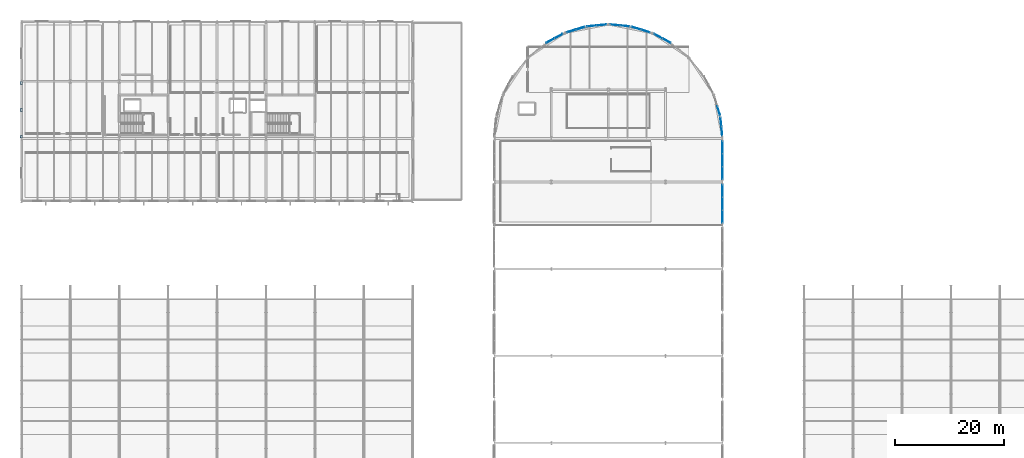
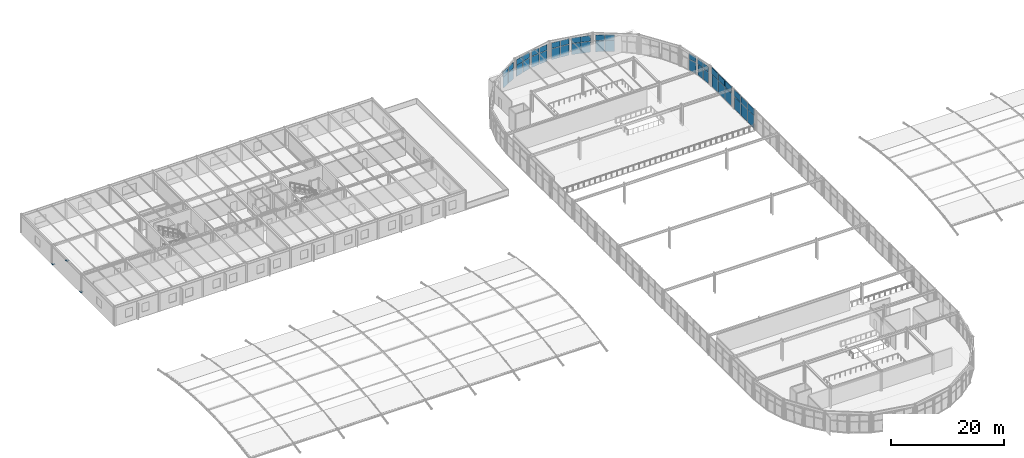
# One storey, part 57 of 105: 45 plates, 10 elements without a shape of their own.
"""IFC4 building model written with IfcOpenShell, lengths in metres."""

from ifc_helpers import new_model, si_unit, direction, frame, origin, origin_2d, place, context, subcontext, project, spatial, rectangle, extrude, material, layer, layer_set, type_object, element, aggregate, save


model = new_model("IFC4")

# Units and contexts
model_context = context("Model", 3, precision=1e-05, world=origin(), true_north=direction((0.0, 1.0)))
body_context = subcontext(model_context, "Body", "Model", "MODEL_VIEW")
ifc_project = project(units=[si_unit("LENGTHUNIT", "METRE"), si_unit("AREAUNIT", "SQUARE_METRE"), si_unit("VOLUMEUNIT", "CUBIC_METRE"), si_unit("PLANEANGLEUNIT", "RADIAN"), si_unit("MASSUNIT", "GRAM", prefix="KILO")], contexts=[model_context])

# Site, building, storey
site_placement = place(None, origin())
site = spatial("IfcSite", under=ifc_project, at=site_placement, CompositionType="ELEMENT")
building_placement = place(site_placement, origin())
building = spatial("IfcBuilding", under=site, at=building_placement, Name="Marlcrest Central Station", CompositionType="ELEMENT")
storey_placement = place(building_placement, frame((0.0, 0.0, 15.0)))
storey = spatial("IfcBuildingStorey", under=building, at=storey_placement, Name="L03", CompositionType="ELEMENT", Elevation=15.0)

# Curtain wall, plates
ifc_material_1 = material(Name="Anodised aluminium and hurricane laminated glass", Category="aluminium")
ifc_layer_1 = layer(ifc_material_1, 0.219970703125, Name="CW-U1")
ifc_layer_set_1 = layer_set([ifc_layer_1], Name="Anodised aluminium and hurricane laminated glass")
curtain_wall_type = type_object("IfcCurtainWallType", Name="CW-U1", PredefinedType="USERDEFINED", material=ifc_layer_set_1)
curtain_wall_1_placement = place(storey_placement, origin())
curtain_wall_1 = element("IfcCurtainWall", 1, at=curtain_wall_1_placement, inside=storey, type_object=curtain_wall_type, Name="cw-L03-0088", ObjectType="UNITISED_CURTAIN_WALL", PredefinedType="USERDEFINED")
ifc_material_2 = material(Name="Hurricane laminated solar-control glass", Category="glass")
ifc_layer_2 = layer(ifc_material_2, 0.031982421875, Name="CP-01")
ifc_layer_set_2 = layer_set([ifc_layer_2], Name="Hurricane laminated solar-control glass")
plate_type_1 = type_object("IfcPlateType", Name="CP-01", PredefinedType="CURTAIN_PANEL", material=ifc_layer_set_2)
plate_1_placement = place(storey_placement, frame((97.287841796875, 128.47119140625, 0.079833984375), z_axis=(0.0, 0.0, 1.0), x_axis=(0.882003525167, 0.471242805349, 0.0)))
plate_1 = element("IfcPlate", 2, at=plate_1_placement, type_object=plate_type_1, Name="cw-L03-0088-cp-lo-0", PredefinedType="CURTAIN_PANEL", context=body_context, shape_type="SweptSolid", body=[
    extrude(rectangle(XDim=1.677490234375, YDim=0.031982421875, at=origin_2d()), origin(), (0.0, 0.0, 1.0), 2.35009765625),
])
plate_2_placement = place(storey_placement, frame((98.83447265625, 129.29736328125, 0.079833984375), z_axis=(0.0, 0.0, 1.0), x_axis=(0.882003525167, 0.471242805349, 0.0)))
plate_2 = element("IfcPlate", 3, at=plate_2_placement, type_object=plate_type_1, Name="cw-L03-0088-cp-lo-1", PredefinedType="CURTAIN_PANEL", context=body_context, shape_type="SweptSolid", body=[
    extrude(rectangle(XDim=1.677490234375, YDim=0.031982421875, at=origin_2d()), origin(), (0.0, 0.0, 1.0), 2.35009765625),
])

curtain_wall_2_placement = place(storey_placement, origin())
curtain_wall_2 = element("IfcCurtainWall", 4, at=curtain_wall_2_placement, inside=storey, type_object=curtain_wall_type, Name="cw-L03-0089", ObjectType="UNITISED_CURTAIN_WALL", PredefinedType="USERDEFINED")
plate_3_placement = place(storey_placement, frame((101.189453125, 130.272705078125, 0.079833984375), z_axis=(0.0, 0.0, 1.0), x_axis=(0.956930202302, 0.290318080597, 0.0)))
plate_3 = element("IfcPlate", 5, at=plate_3_placement, type_object=plate_type_1, Name="cw-L03-0089-cp-lo-0", PredefinedType="CURTAIN_PANEL", context=body_context, shape_type="SweptSolid", body=[
    extrude(rectangle(XDim=1.67724609375, YDim=0.031982421875, at=origin_2d()), origin(), (0.0, 0.0, 1.0), 2.35009765625),
])
plate_4_placement = place(storey_placement, frame((102.8671875, 130.78173828125, 0.079833984375), z_axis=(0.0, 0.0, 1.0), x_axis=(0.956930202302, 0.290318080597, 0.0)))
plate_4 = element("IfcPlate", 6, at=plate_4_placement, type_object=plate_type_1, Name="cw-L03-0089-cp-lo-1", PredefinedType="CURTAIN_PANEL", context=body_context, shape_type="SweptSolid", body=[
    extrude(rectangle(XDim=1.67724609375, YDim=0.031982421875, at=origin_2d()), origin(), (0.0, 0.0, 1.0), 2.35009765625),
])

curtain_wall_3_placement = place(storey_placement, origin())
curtain_wall_3 = element("IfcCurtainWall", 7, at=curtain_wall_3_placement, inside=storey, type_object=curtain_wall_type, Name="cw-L03-0090", ObjectType="UNITISED_CURTAIN_WALL", PredefinedType="USERDEFINED")
plate_5_placement = place(storey_placement, frame((104.98046875, 131.2021484375, 0.079833984375), z_axis=(0.0, 0.0, 1.0), x_axis=(0.995172744192, 0.098138724349, 0.0)))
plate_5 = element("IfcPlate", 8, at=plate_5_placement, type_object=plate_type_1, Name="cw-L03-0090-cp-lo-0", PredefinedType="CURTAIN_PANEL", context=body_context, shape_type="SweptSolid", body=[
    extrude(rectangle(XDim=1.677490234375, YDim=0.031982421875, at=origin_2d()), origin(), (0.0, 0.0, 1.0), 2.35009765625),
])
plate_6_placement = place(storey_placement, frame((106.725341796875, 131.374267578125, 0.079833984375), z_axis=(0.0, 0.0, 1.0), x_axis=(0.995172744192, 0.098138724349, 0.0)))
plate_6 = element("IfcPlate", 9, at=plate_6_placement, type_object=plate_type_1, Name="cw-L03-0090-cp-lo-1", PredefinedType="CURTAIN_PANEL", context=body_context, shape_type="SweptSolid", body=[
    extrude(rectangle(XDim=1.677490234375, YDim=0.031982421875, at=origin_2d()), origin(), (0.0, 0.0, 1.0), 2.35009765625),
])

curtain_wall_4_placement = place(storey_placement, origin())
curtain_wall_4 = element("IfcCurtainWall", 10, at=curtain_wall_4_placement, inside=storey, type_object=curtain_wall_type, Name="cw-L03-0091", ObjectType="UNITISED_CURTAIN_WALL", PredefinedType="USERDEFINED")
plate_7_placement = place(storey_placement, frame((109.274658203125, 131.374267578125, 0.079833984375), z_axis=(0.0, 0.0, 1.0), x_axis=(0.995172744192, -0.098138724349, 0.0)))
plate_7 = element("IfcPlate", 11, at=plate_7_placement, type_object=plate_type_1, Name="cw-L03-0091-cp-lo-0", PredefinedType="CURTAIN_PANEL", context=body_context, shape_type="SweptSolid", body=[
    extrude(rectangle(XDim=1.677490234375, YDim=0.031982421875, at=origin_2d()), origin(), (0.0, 0.0, 1.0), 2.35009765625),
])
plate_8_placement = place(storey_placement, frame((111.01953125, 131.2021484375, 0.079833984375), z_axis=(0.0, 0.0, 1.0), x_axis=(0.995172744192, -0.098138724349, 0.0)))
plate_8 = element("IfcPlate", 12, at=plate_8_placement, type_object=plate_type_1, Name="cw-L03-0091-cp-lo-1", PredefinedType="CURTAIN_PANEL", context=body_context, shape_type="SweptSolid", body=[
    extrude(rectangle(XDim=1.677490234375, YDim=0.031982421875, at=origin_2d()), origin(), (0.0, 0.0, 1.0), 2.35009765625),
])

curtain_wall_5_placement = place(storey_placement, origin())
curtain_wall_5 = element("IfcCurtainWall", 13, at=curtain_wall_5_placement, inside=storey, type_object=curtain_wall_type, Name="cw-L03-0092", ObjectType="UNITISED_CURTAIN_WALL", PredefinedType="USERDEFINED")
plate_9_placement = place(storey_placement, frame((113.1328125, 130.78173828125, 0.079833984375), z_axis=(0.0, 0.0, 1.0), x_axis=(0.956930202302, -0.290318080597, 0.0)))
plate_9 = element("IfcPlate", 14, at=plate_9_placement, type_object=plate_type_1, Name="cw-L03-0092-cp-lo-0", PredefinedType="CURTAIN_PANEL", context=body_context, shape_type="SweptSolid", body=[
    extrude(rectangle(XDim=1.67724609375, YDim=0.031982421875, at=origin_2d()), origin(), (0.0, 0.0, 1.0), 2.35009765625),
])
plate_10_placement = place(storey_placement, frame((114.810546875, 130.272705078125, 0.079833984375), z_axis=(0.0, 0.0, 1.0), x_axis=(0.956930202302, -0.290318080597, 0.0)))
plate_10 = element("IfcPlate", 15, at=plate_10_placement, type_object=plate_type_1, Name="cw-L03-0092-cp-lo-1", PredefinedType="CURTAIN_PANEL", context=body_context, shape_type="SweptSolid", body=[
    extrude(rectangle(XDim=1.67724609375, YDim=0.031982421875, at=origin_2d()), origin(), (0.0, 0.0, 1.0), 2.35009765625),
])

curtain_wall_6_placement = place(storey_placement, origin())
curtain_wall_6 = element("IfcCurtainWall", 16, at=curtain_wall_6_placement, inside=storey, type_object=curtain_wall_type, Name="cw-L03-0093", ObjectType="UNITISED_CURTAIN_WALL", PredefinedType="USERDEFINED")
plate_11_placement = place(storey_placement, frame((117.16552734375, 129.29736328125, 0.079833984375), z_axis=(0.0, 0.0, 1.0), x_axis=(0.882003525167, -0.471242805349, 0.0)))
plate_11 = element("IfcPlate", 17, at=plate_11_placement, type_object=plate_type_1, Name="cw-L03-0093-cp-lo-0", PredefinedType="CURTAIN_PANEL", context=body_context, shape_type="SweptSolid", body=[
    extrude(rectangle(XDim=1.677490234375, YDim=0.031982421875, at=origin_2d()), origin(), (0.0, 0.0, 1.0), 2.35009765625),
])
plate_12_placement = place(storey_placement, frame((118.712158203125, 128.47119140625, 0.079833984375), z_axis=(0.0, 0.0, 1.0), x_axis=(0.882003525167, -0.471242805349, 0.0)))
plate_12 = element("IfcPlate", 18, at=plate_12_placement, type_object=plate_type_1, Name="cw-L03-0093-cp-lo-1", PredefinedType="CURTAIN_PANEL", context=body_context, shape_type="SweptSolid", body=[
    extrude(rectangle(XDim=1.677490234375, YDim=0.031982421875, at=origin_2d()), origin(), (0.0, 0.0, 1.0), 2.35009765625),
])

# Curtain wall, plate
curtain_wall_7_placement = place(storey_placement, origin())
curtain_wall_7 = element("IfcCurtainWall", 19, at=curtain_wall_7_placement, inside=storey, type_object=curtain_wall_type, Name="cw-L03-0097", ObjectType="UNITISED_CURTAIN_WALL", PredefinedType="USERDEFINED")
plate_13_placement = place(storey_placement, frame((128.28173828125, 115.6328125, 0.079833984375), z_axis=(0.0, 0.0, 1.0), x_axis=(0.290318080597, -0.956930202302, 0.0)))
plate_13 = element("IfcPlate", 20, at=plate_13_placement, type_object=plate_type_1, Name="cw-L03-0097-cp-lo-1", PredefinedType="CURTAIN_PANEL", context=body_context, shape_type="SweptSolid", body=[
    extrude(rectangle(XDim=1.67724609375, YDim=0.031982421875, at=origin_2d()), origin(), (0.0, 0.0, 1.0), 2.35009765625),
])

# Curtain wall, plates
curtain_wall_8_placement = place(storey_placement, origin())
curtain_wall_8 = element("IfcCurtainWall", 21, at=curtain_wall_8_placement, inside=storey, type_object=curtain_wall_type, Name="cw-L03-0098", ObjectType="UNITISED_CURTAIN_WALL", PredefinedType="USERDEFINED")
plate_14_placement = place(storey_placement, frame((128.699951171875, 113.543701171875, 0.079833984375), z_axis=(0.0, 0.0, 1.0), x_axis=(0.098138724349, -0.995172744192, 0.0)))
plate_14 = element("IfcPlate", 22, at=plate_14_placement, type_object=plate_type_1, Name="cw-L03-0098-cp-lo-0", PredefinedType="CURTAIN_PANEL", context=body_context, shape_type="SweptSolid", body=[
    extrude(rectangle(XDim=1.629150390625, YDim=0.031982421875, at=origin_2d()), origin(), (0.0, 0.0, 1.0), 2.35009765625),
])
plate_15_placement = place(storey_placement, frame((128.8671875, 111.846923828125, 0.079833984375), z_axis=(0.0, 0.0, 1.0), x_axis=(0.098138724349, -0.995172744192, 0.0)))
plate_15 = element("IfcPlate", 23, at=plate_15_placement, type_object=plate_type_1, Name="cw-L03-0098-cp-lo-1", PredefinedType="CURTAIN_PANEL", context=body_context, shape_type="SweptSolid", body=[
    extrude(rectangle(XDim=1.629150390625, YDim=0.031982421875, at=origin_2d()), origin(), (0.0, 0.0, 1.0), 2.35009765625),
])

curtain_wall_9_placement = place(storey_placement, origin())
curtain_wall_9 = element("IfcCurtainWall", 24, at=curtain_wall_9_placement, inside=storey, type_object=curtain_wall_type, Name="cw-L03-0138", ObjectType="UNITISED_CURTAIN_WALL", PredefinedType="USERDEFINED")
plate_16_placement = place(storey_placement, frame((129.0, 100.86669921875, 0.080078125), z_axis=(0.0, 0.0, 1.0), x_axis=(0.0, -1.0, 0.0)))
plate_16 = element("IfcPlate", 25, at=plate_16_placement, type_object=plate_type_1, Name="cw-L03-0138-cp-lo-0", PredefinedType="CURTAIN_PANEL", context=body_context, shape_type="SweptSolid", body=[
    extrude(rectangle(XDim=2.290771484375, YDim=0.031982421875, at=origin_2d()), origin(), (0.0, 0.0, 1.0), 2.7080078125),
])
plate_17_placement = place(storey_placement, frame((129.0, 98.5, 0.080078125), z_axis=(0.0, 0.0, 1.0), x_axis=(0.0, -1.0, 0.0)))
plate_17 = element("IfcPlate", 26, at=plate_17_placement, type_object=plate_type_1, Name="cw-L03-0138-cp-lo-1", PredefinedType="CURTAIN_PANEL", context=body_context, shape_type="SweptSolid", body=[
    extrude(rectangle(XDim=2.290771484375, YDim=0.031982421875, at=origin_2d()), origin(), (0.0, 0.0, 1.0), 2.7080078125),
])
plate_18_placement = place(storey_placement, frame((129.0, 96.13330078125, 0.080078125), z_axis=(0.0, 0.0, 1.0), x_axis=(0.0, -1.0, 0.0)))
plate_18 = element("IfcPlate", 27, at=plate_18_placement, type_object=plate_type_1, Name="cw-L03-0138-cp-lo-2", PredefinedType="CURTAIN_PANEL", context=body_context, shape_type="SweptSolid", body=[
    extrude(rectangle(XDim=2.290771484375, YDim=0.031982421875, at=origin_2d()), origin(), (0.0, 0.0, 1.0), 2.7080078125),
])

curtain_wall_10_placement = place(storey_placement, origin())
curtain_wall_10 = element("IfcCurtainWall", 28, at=curtain_wall_10_placement, inside=storey, type_object=curtain_wall_type, Name="cw-L03-0142", ObjectType="UNITISED_CURTAIN_WALL", PredefinedType="USERDEFINED")
plate_19_placement = place(storey_placement, frame((129.0, 108.86669921875, 0.080078125), z_axis=(0.0, 0.0, 1.0), x_axis=(0.0, -1.0, 0.0)))
plate_19 = element("IfcPlate", 29, at=plate_19_placement, type_object=plate_type_1, Name="cw-L03-0142-cp-lo-0", PredefinedType="CURTAIN_PANEL", context=body_context, shape_type="SweptSolid", body=[
    extrude(rectangle(XDim=2.290771484375, YDim=0.031982421875, at=origin_2d()), origin(), (0.0, 0.0, 1.0), 2.7080078125),
])
plate_20_placement = place(storey_placement, frame((129.0, 106.5, 0.080078125), z_axis=(0.0, 0.0, 1.0), x_axis=(0.0, -1.0, 0.0)))
plate_20 = element("IfcPlate", 30, at=plate_20_placement, type_object=plate_type_1, Name="cw-L03-0142-cp-lo-1", PredefinedType="CURTAIN_PANEL", context=body_context, shape_type="SweptSolid", body=[
    extrude(rectangle(XDim=2.290771484375, YDim=0.031982421875, at=origin_2d()), origin(), (0.0, 0.0, 1.0), 2.7080078125),
])
plate_21_placement = place(storey_placement, frame((129.0, 104.13330078125, 0.080078125), z_axis=(0.0, 0.0, 1.0), x_axis=(0.0, -1.0, 0.0)))
plate_21 = element("IfcPlate", 31, at=plate_21_placement, type_object=plate_type_1, Name="cw-L03-0142-cp-lo-2", PredefinedType="CURTAIN_PANEL", context=body_context, shape_type="SweptSolid", body=[
    extrude(rectangle(XDim=2.290771484375, YDim=0.031982421875, at=origin_2d()), origin(), (0.0, 0.0, 1.0), 2.7080078125),
])

# Plate
ifc_material_3 = material(Name="Insulated bronze-anodised aluminium spandrel panel", Category="aluminium")
ifc_layer_3 = layer(ifc_material_3, 0.06005859375, Name="CP-04")
ifc_layer_set_3 = layer_set([ifc_layer_3], Name="Insulated bronze-anodised aluminium spandrel panel")
plate_type_2 = type_object("IfcPlateType", Name="CP-04", PredefinedType="CURTAIN_PANEL", material=ifc_layer_set_3)
plate_22_placement = place(storey_placement, frame((104.98046875, 131.2021484375, 2.510009765625), z_axis=(0.0, 0.0, 1.0), x_axis=(0.995172744192, 0.098138724349, 0.0)))
plate_22 = element("IfcPlate", 32, at=plate_22_placement, type_object=plate_type_2, Name="cw-L03-0090-cp-hi-0", PredefinedType="CURTAIN_PANEL", context=body_context, shape_type="SweptSolid", body=[
    extrude(rectangle(XDim=1.677490234375, YDim=0.06005859375, at=origin_2d()), origin(), (0.0, 0.0, 1.0), 1.2099609375),
])

plate_23_placement = place(storey_placement, frame((106.725341796875, 131.374267578125, 2.510009765625), z_axis=(0.0, 0.0, 1.0), x_axis=(0.995172744192, 0.098138724349, 0.0)))
plate_23 = element("IfcPlate", 33, at=plate_23_placement, type_object=plate_type_2, Name="cw-L03-0090-cp-hi-1", PredefinedType="CURTAIN_PANEL", context=body_context, shape_type="SweptSolid", body=[
    extrude(rectangle(XDim=1.677490234375, YDim=0.06005859375, at=origin_2d()), origin(), (0.0, 0.0, 1.0), 1.2099609375),
])

aggregate(curtain_wall_3, [plate_5, plate_22, plate_6, plate_23])

plate_24_placement = place(storey_placement, frame((129.0, 100.86669921875, 2.8681640625), z_axis=(0.0, 0.0, 1.0), x_axis=(0.0, -1.0, 0.0)))
plate_24 = element("IfcPlate", 34, at=plate_24_placement, type_object=plate_type_2, Name="cw-L03-0138-cp-hi-0", PredefinedType="CURTAIN_PANEL", context=body_context, shape_type="SweptSolid", body=[
    extrude(rectangle(XDim=2.290771484375, YDim=0.06005859375, at=origin_2d()), origin(), (0.0, 0.0, 1.0), 1.402099609375),
])

plate_25_placement = place(storey_placement, frame((129.0, 98.5, 2.8681640625), z_axis=(0.0, 0.0, 1.0), x_axis=(0.0, -1.0, 0.0)))
plate_25 = element("IfcPlate", 35, at=plate_25_placement, type_object=plate_type_2, Name="cw-L03-0138-cp-hi-1", PredefinedType="CURTAIN_PANEL", context=body_context, shape_type="SweptSolid", body=[
    extrude(rectangle(XDim=2.290771484375, YDim=0.06005859375, at=origin_2d()), origin(), (0.0, 0.0, 1.0), 1.402099609375),
])

plate_26_placement = place(storey_placement, frame((129.0, 96.13330078125, 2.8681640625), z_axis=(0.0, 0.0, 1.0), x_axis=(0.0, -1.0, 0.0)))
plate_26 = element("IfcPlate", 36, at=plate_26_placement, type_object=plate_type_2, Name="cw-L03-0138-cp-hi-2", PredefinedType="CURTAIN_PANEL", context=body_context, shape_type="SweptSolid", body=[
    extrude(rectangle(XDim=2.290771484375, YDim=0.06005859375, at=origin_2d()), origin(), (0.0, 0.0, 1.0), 1.402099609375),
])

aggregate(curtain_wall_9, [plate_16, plate_24, plate_17, plate_25, plate_18, plate_26])

ifc_layer_4 = layer(ifc_material_3, 0.050048828125, Name="CP-05")
ifc_layer_set_4 = layer_set([ifc_layer_4], Name="Insulated bronze-anodised aluminium spandrel panel")
plate_type_3 = type_object("IfcPlateType", Name="CP-05", PredefinedType="CURTAIN_PANEL", material=ifc_layer_set_4)
plate_27_placement = place(storey_placement, frame((109.274658203125, 131.374267578125, 2.510009765625), z_axis=(0.0, 0.0, 1.0), x_axis=(0.995172744192, -0.098138724349, 0.0)))
plate_27 = element("IfcPlate", 37, at=plate_27_placement, type_object=plate_type_3, Name="cw-L03-0091-cp-hi-0", PredefinedType="CURTAIN_PANEL", context=body_context, shape_type="SweptSolid", body=[
    extrude(rectangle(XDim=1.677490234375, YDim=0.050048828125, at=origin_2d()), origin(), (0.0, 0.0, 1.0), 1.2099609375),
])

plate_28_placement = place(storey_placement, frame((111.01953125, 131.2021484375, 2.510009765625), z_axis=(0.0, 0.0, 1.0), x_axis=(0.995172744192, -0.098138724349, 0.0)))
plate_28 = element("IfcPlate", 38, at=plate_28_placement, type_object=plate_type_3, Name="cw-L03-0091-cp-hi-1", PredefinedType="CURTAIN_PANEL", context=body_context, shape_type="SweptSolid", body=[
    extrude(rectangle(XDim=1.677490234375, YDim=0.050048828125, at=origin_2d()), origin(), (0.0, 0.0, 1.0), 1.2099609375),
])

aggregate(curtain_wall_4, [plate_7, plate_27, plate_8, plate_28])

plate_29_placement = place(storey_placement, frame((128.28173828125, 115.6328125, 2.510009765625), z_axis=(0.0, 0.0, 1.0), x_axis=(0.290318080597, -0.956930202302, 0.0)))
plate_29 = element("IfcPlate", 39, at=plate_29_placement, type_object=plate_type_3, Name="cw-L03-0097-cp-hi-1", PredefinedType="CURTAIN_PANEL", context=body_context, shape_type="SweptSolid", body=[
    extrude(rectangle(XDim=1.67724609375, YDim=0.050048828125, at=origin_2d()), origin(), (0.0, 0.0, 1.0), 1.2099609375),
])

aggregate(curtain_wall_7, [plate_13, plate_29])

ifc_material_4 = material(Name="Insulated acoustic spandrel panel")
ifc_layer_5 = layer(ifc_material_4, 0.074951171875, Name="CP-06")
ifc_layer_set_5 = layer_set([ifc_layer_5], Name="Insulated acoustic spandrel panel")
plate_type_4 = type_object("IfcPlateType", Name="CP-06", PredefinedType="CURTAIN_PANEL", material=ifc_layer_set_5)
plate_30_placement = place(storey_placement, frame((113.1328125, 130.78173828125, 2.510009765625), z_axis=(0.0, 0.0, 1.0), x_axis=(0.956930202302, -0.290318080597, 0.0)))
plate_30 = element("IfcPlate", 40, at=plate_30_placement, type_object=plate_type_4, Name="cw-L03-0092-cp-hi-0", PredefinedType="CURTAIN_PANEL", context=body_context, shape_type="SweptSolid", body=[
    extrude(rectangle(XDim=1.67724609375, YDim=0.074951171875, at=origin_2d()), origin(), (0.0, 0.0, 1.0), 1.2099609375),
])

plate_31_placement = place(storey_placement, frame((114.810546875, 130.272705078125, 2.510009765625), z_axis=(0.0, 0.0, 1.0), x_axis=(0.956930202302, -0.290318080597, 0.0)))
plate_31 = element("IfcPlate", 41, at=plate_31_placement, type_object=plate_type_4, Name="cw-L03-0092-cp-hi-1", PredefinedType="CURTAIN_PANEL", context=body_context, shape_type="SweptSolid", body=[
    extrude(rectangle(XDim=1.67724609375, YDim=0.074951171875, at=origin_2d()), origin(), (0.0, 0.0, 1.0), 1.2099609375),
])

aggregate(curtain_wall_5, [plate_9, plate_30, plate_10, plate_31])

plate_32_placement = place(storey_placement, frame((128.699951171875, 113.543701171875, 2.510009765625), z_axis=(0.0, 0.0, 1.0), x_axis=(0.098138724349, -0.995172744192, 0.0)))
plate_32 = element("IfcPlate", 42, at=plate_32_placement, type_object=plate_type_4, Name="cw-L03-0098-cp-hi-0", PredefinedType="CURTAIN_PANEL", context=body_context, shape_type="SweptSolid", body=[
    extrude(rectangle(XDim=1.629150390625, YDim=0.074951171875, at=origin_2d()), origin(), (0.0, 0.0, 1.0), 1.2099609375),
])

plate_33_placement = place(storey_placement, frame((128.8671875, 111.846923828125, 2.510009765625), z_axis=(0.0, 0.0, 1.0), x_axis=(0.098138724349, -0.995172744192, 0.0)))
plate_33 = element("IfcPlate", 43, at=plate_33_placement, type_object=plate_type_4, Name="cw-L03-0098-cp-hi-1", PredefinedType="CURTAIN_PANEL", context=body_context, shape_type="SweptSolid", body=[
    extrude(rectangle(XDim=1.629150390625, YDim=0.074951171875, at=origin_2d()), origin(), (0.0, 0.0, 1.0), 1.2099609375),
])

aggregate(curtain_wall_8, [plate_14, plate_32, plate_15, plate_33])

ifc_material_5 = material(Name="Insulated hurricane-rated spandrel panel")
ifc_layer_6 = layer(ifc_material_5, 0.090087890625, Name="CP-07")
ifc_layer_set_6 = layer_set([ifc_layer_6], Name="Insulated hurricane-rated spandrel panel")
plate_type_5 = type_object("IfcPlateType", Name="CP-07", PredefinedType="CURTAIN_PANEL", material=ifc_layer_set_6)
plate_34_placement = place(storey_placement, frame((117.16552734375, 129.29736328125, 2.510009765625), z_axis=(0.0, 0.0, 1.0), x_axis=(0.882003525167, -0.471242805349, 0.0)))
plate_34 = element("IfcPlate", 44, at=plate_34_placement, type_object=plate_type_5, Name="cw-L03-0093-cp-hi-0", PredefinedType="CURTAIN_PANEL", context=body_context, shape_type="SweptSolid", body=[
    extrude(rectangle(XDim=1.677490234375, YDim=0.090087890625, at=origin_2d()), origin(), (0.0, 0.0, 1.0), 1.2099609375),
])

plate_35_placement = place(storey_placement, frame((118.712158203125, 128.47119140625, 2.510009765625), z_axis=(0.0, 0.0, 1.0), x_axis=(0.882003525167, -0.471242805349, 0.0)))
plate_35 = element("IfcPlate", 45, at=plate_35_placement, type_object=plate_type_5, Name="cw-L03-0093-cp-hi-1", PredefinedType="CURTAIN_PANEL", context=body_context, shape_type="SweptSolid", body=[
    extrude(rectangle(XDim=1.677490234375, YDim=0.090087890625, at=origin_2d()), origin(), (0.0, 0.0, 1.0), 1.2099609375),
])

aggregate(curtain_wall_6, [plate_11, plate_34, plate_12, plate_35])

ifc_material_6 = material(Name="Insulated shadow-box spandrel panel")
ifc_layer_7 = layer(ifc_material_6, 0.10498046875, Name="CP-08")
ifc_layer_set_7 = layer_set([ifc_layer_7], Name="Insulated shadow-box spandrel panel")
plate_type_6 = type_object("IfcPlateType", Name="CP-08", PredefinedType="CURTAIN_PANEL", material=ifc_layer_set_7)
plate_36_placement = place(storey_placement, frame((97.287841796875, 128.47119140625, 2.510009765625), z_axis=(0.0, 0.0, 1.0), x_axis=(0.882003525167, 0.471242805349, 0.0)))
plate_36 = element("IfcPlate", 46, at=plate_36_placement, type_object=plate_type_6, Name="cw-L03-0088-cp-hi-0", PredefinedType="CURTAIN_PANEL", context=body_context, shape_type="SweptSolid", body=[
    extrude(rectangle(XDim=1.677490234375, YDim=0.10498046875, at=origin_2d()), origin(), (0.0, 0.0, 1.0), 1.2099609375),
])

plate_37_placement = place(storey_placement, frame((98.83447265625, 129.29736328125, 2.510009765625), z_axis=(0.0, 0.0, 1.0), x_axis=(0.882003525167, 0.471242805349, 0.0)))
plate_37 = element("IfcPlate", 47, at=plate_37_placement, type_object=plate_type_6, Name="cw-L03-0088-cp-hi-1", PredefinedType="CURTAIN_PANEL", context=body_context, shape_type="SweptSolid", body=[
    extrude(rectangle(XDim=1.677490234375, YDim=0.10498046875, at=origin_2d()), origin(), (0.0, 0.0, 1.0), 1.2099609375),
])

aggregate(curtain_wall_1, [plate_1, plate_36, plate_2, plate_37])

plate_38_placement = place(storey_placement, frame((129.0, 108.86669921875, 2.8681640625), z_axis=(0.0, 0.0, 1.0), x_axis=(0.0, -1.0, 0.0)))
plate_38 = element("IfcPlate", 48, at=plate_38_placement, type_object=plate_type_6, Name="cw-L03-0142-cp-hi-0", PredefinedType="CURTAIN_PANEL", context=body_context, shape_type="SweptSolid", body=[
    extrude(rectangle(XDim=2.290771484375, YDim=0.10498046875, at=origin_2d()), origin(), (0.0, 0.0, 1.0), 1.402099609375),
])

plate_39_placement = place(storey_placement, frame((129.0, 106.5, 2.8681640625), z_axis=(0.0, 0.0, 1.0), x_axis=(0.0, -1.0, 0.0)))
plate_39 = element("IfcPlate", 49, at=plate_39_placement, type_object=plate_type_6, Name="cw-L03-0142-cp-hi-1", PredefinedType="CURTAIN_PANEL", context=body_context, shape_type="SweptSolid", body=[
    extrude(rectangle(XDim=2.290771484375, YDim=0.10498046875, at=origin_2d()), origin(), (0.0, 0.0, 1.0), 1.402099609375),
])

plate_40_placement = place(storey_placement, frame((129.0, 104.13330078125, 2.8681640625), z_axis=(0.0, 0.0, 1.0), x_axis=(0.0, -1.0, 0.0)))
plate_40 = element("IfcPlate", 50, at=plate_40_placement, type_object=plate_type_6, Name="cw-L03-0142-cp-hi-2", PredefinedType="CURTAIN_PANEL", context=body_context, shape_type="SweptSolid", body=[
    extrude(rectangle(XDim=2.290771484375, YDim=0.10498046875, at=origin_2d()), origin(), (0.0, 0.0, 1.0), 1.402099609375),
])

aggregate(curtain_wall_10, [plate_19, plate_38, plate_20, plate_39, plate_21, plate_40])

ifc_material_7 = material(Name="Insulated fire-safing spandrel panel")
ifc_layer_8 = layer(ifc_material_7, 0.1201171875, Name="CP-09")
ifc_layer_set_8 = layer_set([ifc_layer_8], Name="Insulated fire-safing spandrel panel")
plate_type_7 = type_object("IfcPlateType", Name="CP-09", PredefinedType="CURTAIN_PANEL", material=ifc_layer_set_8)
plate_41_placement = place(storey_placement, frame((101.189453125, 130.272705078125, 2.510009765625), z_axis=(0.0, 0.0, 1.0), x_axis=(0.956930202302, 0.290318080597, 0.0)))
plate_41 = element("IfcPlate", 51, at=plate_41_placement, type_object=plate_type_7, Name="cw-L03-0089-cp-hi-0", PredefinedType="CURTAIN_PANEL", context=body_context, shape_type="SweptSolid", body=[
    extrude(rectangle(XDim=1.67724609375, YDim=0.1201171875, at=origin_2d()), origin(), (0.0, 0.0, 1.0), 1.2099609375),
])

plate_42_placement = place(storey_placement, frame((102.8671875, 130.78173828125, 2.510009765625), z_axis=(0.0, 0.0, 1.0), x_axis=(0.956930202302, 0.290318080597, 0.0)))
plate_42 = element("IfcPlate", 52, at=plate_42_placement, type_object=plate_type_7, Name="cw-L03-0089-cp-hi-1", PredefinedType="CURTAIN_PANEL", context=body_context, shape_type="SweptSolid", body=[
    extrude(rectangle(XDim=1.67724609375, YDim=0.1201171875, at=origin_2d()), origin(), (0.0, 0.0, 1.0), 1.2099609375),
])

aggregate(curtain_wall_2, [plate_3, plate_41, plate_4, plate_42])

# Plates
ifc_material_8 = material(Name="Steel S355", Category="steel")
ifc_layer_9 = layer(ifc_material_8, 0.02001953125, Name="GP-03")
ifc_layer_set_9 = layer_set([ifc_layer_9], Name="Steel S355")
plate_type_8 = type_object("IfcPlateType", Name="GP-03", PredefinedType="USERDEFINED", material=ifc_layer_set_9)
for number, where, z_axis, x_axis, name in (
    (53, (0.0, 110.800048828125, 0.239990234375), (0.0, 0.0, 1.0), (1.0, 0.0, 0.0), "plt-cap-00050"),
    (54, (0.0, 115.75, 4.02490234375), (0.0, 0.0, 1.0), (1.0, 0.0, 0.0), "plt-cap-00051"),
    (55, (0.0, 120.699951171875, 0.239990234375), (0.0, 0.0, 1.0), (1.0, 0.0, 0.0), "plt-cap-00052"),
):
    element("IfcPlate", number, at=place(storey_placement, frame(where, z_axis=z_axis, x_axis=x_axis)), inside=storey, type_object=plate_type_8, Name=name, ObjectType="GUSSET_PLATE", PredefinedType="USERDEFINED", context=body_context, shape_type="SweptSolid", body=[
        extrude(rectangle(XDim=0.5, YDim=0.5, at=origin_2d()), origin(), (0.0, 0.0, 1.0), 0.02001953125),
    ])

save(model, "model.ifc")
